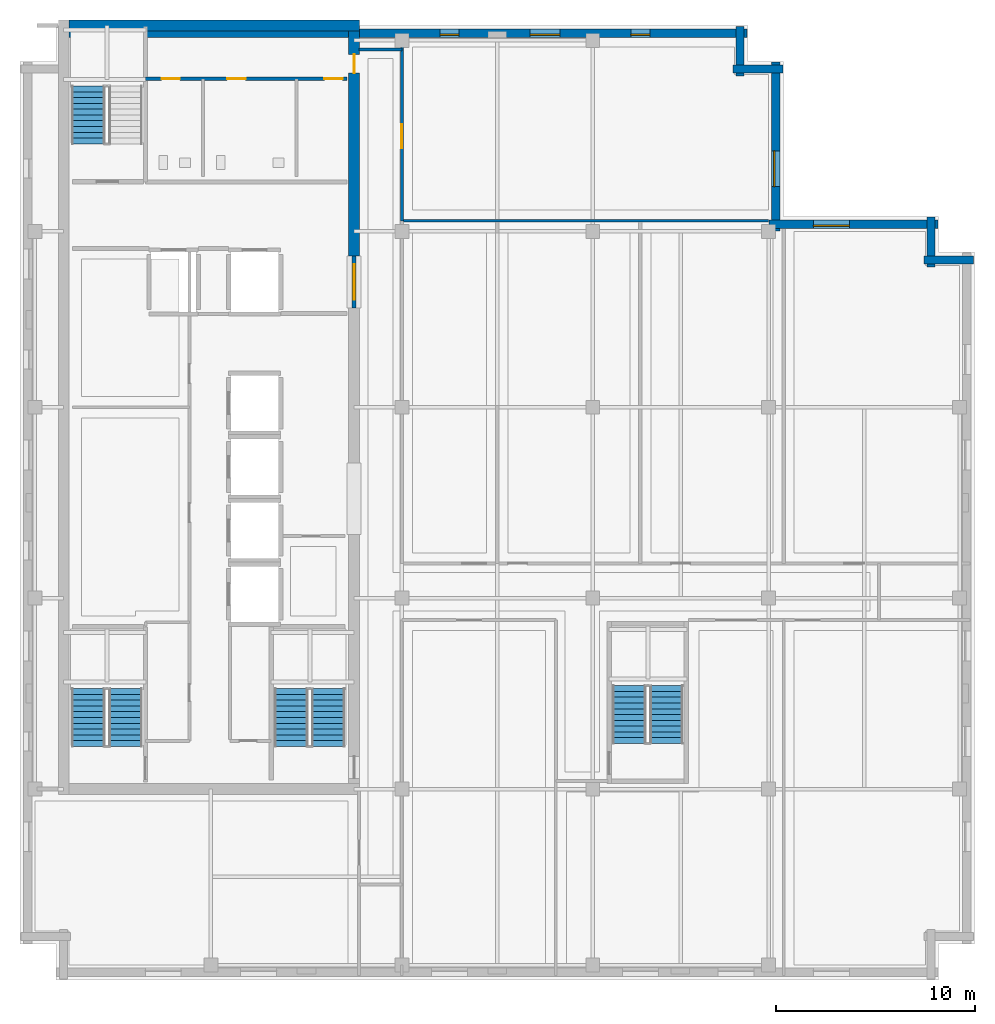
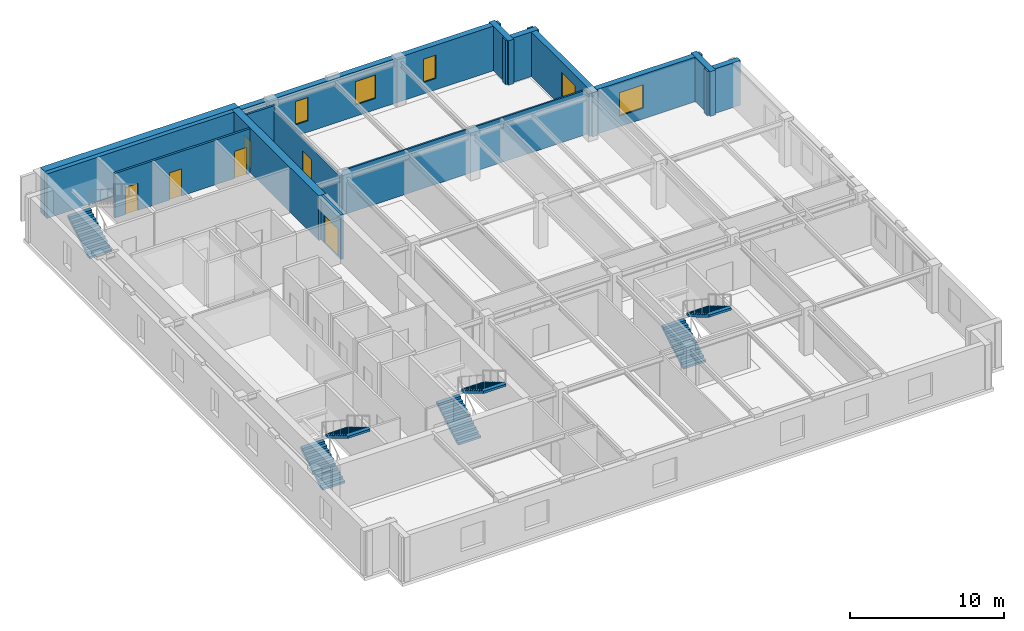
# One storey, part 6 of 11: 14 walls, 7 stair flights, 6 doors, 5 windows, 11 openings, 4 elements without a shape of their own.
"""IFC4 building model written with IfcOpenShell, lengths in metres."""

from ifc_helpers import new_model, si_unit, direction, frame, frame_2d, origin, place, context, subcontext, project, spatial, polyline, rectangle, outline, extrude, material, layer, layer_set, type_object, element, fill, aggregate, save


model = new_model("IFC4")

# Units and contexts
model_context = context("Model", 3, precision=1e-05, world=origin(), true_north=direction((0.0, 1.0)))
body_context = subcontext(model_context, "Body", "Model", "MODEL_VIEW")
ifc_project = project(units=[si_unit("LENGTHUNIT", "METRE"), si_unit("AREAUNIT", "SQUARE_METRE"), si_unit("VOLUMEUNIT", "CUBIC_METRE"), si_unit("PLANEANGLEUNIT", "RADIAN"), si_unit("MASSUNIT", "GRAM", prefix="KILO")], contexts=[model_context])

# Site, building, storey
site_placement = place(None, origin())
site = spatial("IfcSite", under=ifc_project, at=site_placement, CompositionType="ELEMENT")
building_placement = place(site_placement, origin())
building = spatial("IfcBuilding", under=site, at=building_placement, Name="Norrvale University Quadrangle", CompositionType="ELEMENT")
storey_placement = place(building_placement, frame((0.0, 0.0, 288.60009765625)))
storey = spatial("IfcBuildingStorey", under=building, at=storey_placement, Name="L73", CompositionType="ELEMENT", Elevation=288.60009765625)

# Walls
ifc_material_1 = material(Name="Buff Norman Clay Brick Masonry", Category="masonry")
ifc_layer_1 = layer(ifc_material_1, 0.419921875, Name="Buff Norman Clay Brick Masonry")
ifc_layer_set_1 = layer_set([ifc_layer_1], Name="Buff Norman Clay Brick Masonry")
wall_type_1 = type_object("IfcWallType", Name="Wall Buff Brick 420", PredefinedType="SOLIDWALL", material=ifc_layer_set_1)
for number, where, z_axis, x_axis, name in (
    (1, (47.9599609375, 36.2099609375, 0.0), (0.0, 0.0, 1.0), (-1.0, 0.0, 0.0), "Exterior Brick Facade Wall L73-05.1"),
    (2, (45.81005859375, 35.860107421875, 0.0), (0.0, 0.0, 1.0), (0.0, 1.0, 0.0), "Exterior Brick Facade Wall L73-06.1"),
):
    element("IfcWall", number, at=place(storey_placement, frame(where, z_axis=z_axis, x_axis=x_axis)), inside=storey, type_object=wall_type_1, Name=name, PredefinedType="SOLIDWALL", context=body_context, shape_type="SweptSolid", body=[
        extrude(rectangle(XDim=2.5, YDim=0.419921875, at=frame_2d((1.25, 0.0))), origin(), (0.0, 0.0, 1.0), 3.539794921875),
    ])

# Wall, opening, window
wall_1_placement = place(storey_placement, frame((46.159912109375, 38.010009765625, 0.0), z_axis=(0.0, 0.0, 1.0), x_axis=(-1.0, 0.0, 0.0)))
wall_1 = element("IfcWall", 3, at=wall_1_placement, inside=storey, type_object=wall_type_1, Name="Exterior Brick Facade Wall L73-07.1", PredefinedType="SOLIDWALL", context=body_context, shape_type="SweptSolid", body=[
    extrude(rectangle(XDim=8.5, YDim=0.419921875, at=frame_2d((4.25, 0.0))), origin(), (0.0, 0.0, 1.0), 3.539794921875),
])
opening_1_placement = place(wall_1_placement, frame((4.4599609375, 0.0, 0.85009765625)))
opening_1 = element("IfcOpeningElement", 4, at=opening_1_placement, cuts=wall_1, Name="Opening W01", PredefinedType="OPENING", context=body_context, shape_type="SweptSolid", body=[
    extrude(rectangle(XDim=1.800048828125, YDim=1.85009765625, at=frame_2d((0.89990234375, 0.925048828125))), frame((0.0, 0.221923828125, 0.0), z_axis=(0.0, -1.0, 0.0), x_axis=(1.0, 0.0, 0.0)), (0.0, 0.0, 1.0), 0.44384765625),
])
ifc_material_2 = material(Name="Triple Low-E Argon Glazing", Category="glass")
window_type_1 = type_object("IfcWindowType", Name="Window Academic 1800x2300", PartitioningType="DOUBLE_PANEL_VERTICAL", PredefinedType="WINDOW", material=ifc_material_2)
window_1_placement = place(opening_1_placement, origin())
window_1 = element("IfcWindow", 5, at=window_1_placement, inside=storey, type_object=window_type_1, Name="Window Academic 1800x2300 WIN-L73-E07-1-01", OverallHeight=1.85009765625, OverallWidth=1.800048828125, PartitioningType="DOUBLE_PANEL_VERTICAL", PredefinedType="WINDOW", context=body_context, shape_type="SweptSolid", body=[
    extrude(rectangle(XDim=1.800048828125, YDim=1.85009765625, at=frame_2d((0.89990234375, 0.925048828125))), frame((0.0, 0.110107421875, 0.0), z_axis=(0.0, -1.0, 0.0), x_axis=(1.0, 0.0, 0.0)), (0.0, 0.0, 1.0), 0.06005859375),
])
fill(opening_1, window_1)

wall_2_placement = place(storey_placement, frame((38.010009765625, 37.659912109375, 0.0), z_axis=(0.0, 0.0, 1.0), x_axis=(0.0, 1.0, 0.0)))
wall_2 = element("IfcWall", 6, at=wall_2_placement, inside=storey, type_object=wall_type_1, Name="Exterior Brick Facade Wall L73-08.1", PredefinedType="SOLIDWALL", context=body_context, shape_type="SweptSolid", body=[
    extrude(rectangle(XDim=8.5, YDim=0.419921875, at=frame_2d((4.25, 0.0))), origin(), (0.0, 0.0, 1.0), 3.539794921875),
])
opening_2_placement = place(wall_2_placement, frame((2.239990234375, 0.0, 0.85009765625)))
opening_2 = element("IfcOpeningElement", 7, at=opening_2_placement, cuts=wall_2, Name="Opening W01", PredefinedType="OPENING", context=body_context, shape_type="SweptSolid", body=[
    extrude(rectangle(XDim=1.800048828125, YDim=1.85009765625, at=frame_2d((0.89990234375, 0.925048828125))), frame((0.0, 0.221923828125, 0.0), z_axis=(0.0, -1.0, 0.0), x_axis=(1.0, 0.0, 0.0)), (0.0, 0.0, 1.0), 0.44384765625),
])
window_2_placement = place(opening_2_placement, origin())
window_2 = element("IfcWindow", 8, at=window_2_placement, inside=storey, type_object=window_type_1, Name="Window Academic 1800x2300 WIN-L73-E08-1-01", OverallHeight=1.85009765625, OverallWidth=1.800048828125, PartitioningType="DOUBLE_PANEL_VERTICAL", PredefinedType="WINDOW", context=body_context, shape_type="SweptSolid", body=[
    extrude(rectangle(XDim=1.800048828125, YDim=1.85009765625, at=frame_2d((0.89990234375, 0.925048828125))), frame((0.0, 0.110107421875, 0.0), z_axis=(0.0, -1.0, 0.0), x_axis=(1.0, 0.0, 0.0)), (0.0, 0.0, 1.0), 0.06005859375),
])
fill(opening_2, window_2)

# Walls
for number, where, z_axis, x_axis, name in (
    (9, (38.360107421875, 45.81005859375, 0.0), (0.0, 0.0, 1.0), (-1.0, 0.0, 0.0), "Exterior Brick Facade Wall L73-09.1"),
    (10, (36.2099609375, 45.4599609375, 0.0), (0.0, 0.0, 1.0), (0.0, 1.0, 0.0), "Exterior Brick Facade Wall L73-10.1"),
):
    element("IfcWall", number, at=place(storey_placement, frame(where, z_axis=z_axis, x_axis=x_axis)), inside=storey, type_object=wall_type_1, Name=name, PredefinedType="SOLIDWALL", context=body_context, shape_type="SweptSolid", body=[
        extrude(rectangle(XDim=2.5, YDim=0.419921875, at=frame_2d((1.25, 0.0))), origin(), (0.0, 0.0, 1.0), 3.539794921875),
    ])

# Wall, openings, windows
wall_3_placement = place(storey_placement, frame((36.56005859375, 47.610107421875, 0.0), z_axis=(0.0, 0.0, 1.0), x_axis=(-1.0, 0.0, 0.0)))
wall_3 = element("IfcWall", 11, at=wall_3_placement, inside=storey, type_object=wall_type_1, Name="Exterior Brick Facade Wall L73-11.1", PredefinedType="SOLIDWALL", context=body_context, shape_type="SweptSolid", body=[
    extrude(rectangle(XDim=34.0849609375, YDim=0.419921875, at=frame_2d((17.04248046875, 0.0))), origin(), (0.0, 0.0, 1.0), 3.539794921875),
])
opening_3_placement = place(wall_3_placement, frame((4.885009765625, 0.0, 0.89990234375)))
opening_3 = element("IfcOpeningElement", 12, at=opening_3_placement, cuts=wall_3, Name="Opening W04", PredefinedType="OPENING", context=body_context, shape_type="SweptSolid", body=[
    extrude(rectangle(XDim=0.949951171875, YDim=1.85009765625, at=frame_2d((0.47509765625, 0.925048828125))), frame((0.0, 0.221923828125, 0.0), z_axis=(0.0, -1.0, 0.0), x_axis=(1.0, 0.0, 0.0)), (0.0, 0.0, 1.0), 0.44384765625),
])
opening_4_placement = place(wall_3_placement, frame((9.409912109375, 0.0, 0.89990234375)))
opening_4 = element("IfcOpeningElement", 13, at=opening_4_placement, cuts=wall_3, Name="Opening W03", PredefinedType="OPENING", context=body_context, shape_type="SweptSolid", body=[
    extrude(rectangle(XDim=1.5, YDim=1.85009765625, at=frame_2d((0.75, 0.925048828125))), frame((0.0, 0.221923828125, 0.0), z_axis=(0.0, -1.0, 0.0), x_axis=(1.0, 0.0, 0.0)), (0.0, 0.0, 1.0), 0.44384765625),
])
opening_5_placement = place(wall_3_placement, frame((14.485107421875, 0.0, 0.89990234375)))
opening_5 = element("IfcOpeningElement", 14, at=opening_5_placement, cuts=wall_3, Name="Opening W04", PredefinedType="OPENING", context=body_context, shape_type="SweptSolid", body=[
    extrude(rectangle(XDim=0.949951171875, YDim=1.85009765625, at=frame_2d((0.47509765625, 0.925048828125))), frame((0.0, 0.221923828125, 0.0), z_axis=(0.0, -1.0, 0.0), x_axis=(1.0, 0.0, 0.0)), (0.0, 0.0, 1.0), 0.44384765625),
])
window_type_2 = type_object("IfcWindowType", Name="Window Narrow Pier 950x2300", PartitioningType="SINGLE_PANEL", PredefinedType="WINDOW", material=ifc_material_2)
window_3_placement = place(opening_3_placement, origin())
window_3 = element("IfcWindow", 15, at=window_3_placement, inside=storey, type_object=window_type_2, Name="Window Narrow Pier 950x2300 WIN-L73-E11-1-01", OverallHeight=1.85009765625, OverallWidth=0.949951171875, PartitioningType="SINGLE_PANEL", PredefinedType="WINDOW", context=body_context, shape_type="SweptSolid", body=[
    extrude(rectangle(XDim=0.949951171875, YDim=1.85009765625, at=frame_2d((0.47509765625, 0.925048828125))), frame((0.0, 0.110107421875, 0.0), z_axis=(0.0, -1.0, 0.0), x_axis=(1.0, 0.0, 0.0)), (0.0, 0.0, 1.0), 0.06005859375),
])
fill(opening_3, window_3)
window_4_placement = place(opening_5_placement, origin())
window_4 = element("IfcWindow", 16, at=window_4_placement, inside=storey, type_object=window_type_2, Name="Window Narrow Pier 950x2300 WIN-L73-E11-1-03", OverallHeight=1.85009765625, OverallWidth=0.949951171875, PartitioningType="SINGLE_PANEL", PredefinedType="WINDOW", context=body_context, shape_type="SweptSolid", body=[
    extrude(rectangle(XDim=0.949951171875, YDim=1.85009765625, at=frame_2d((0.47509765625, 0.925048828125))), frame((0.0, 0.110107421875, 0.0), z_axis=(0.0, -1.0, 0.0), x_axis=(1.0, 0.0, 0.0)), (0.0, 0.0, 1.0), 0.06005859375),
])
fill(opening_5, window_4)
window_type_3 = type_object("IfcWindowType", Name="Window Studio 1500x2300", PartitioningType="DOUBLE_PANEL_VERTICAL", PredefinedType="WINDOW", material=ifc_material_2)
window_5_placement = place(opening_4_placement, origin())
window_5 = element("IfcWindow", 17, at=window_5_placement, inside=storey, type_object=window_type_3, Name="Window Studio 1500x2300 WIN-L73-E11-1-02", OverallHeight=1.85009765625, OverallWidth=1.5, PartitioningType="DOUBLE_PANEL_VERTICAL", PredefinedType="WINDOW", context=body_context, shape_type="SweptSolid", body=[
    extrude(rectangle(XDim=1.5, YDim=1.85009765625, at=frame_2d((0.75, 0.925048828125))), frame((0.0, 0.110107421875, 0.0), z_axis=(0.0, -1.0, 0.0), x_axis=(1.0, 0.0, 0.0)), (0.0, 0.0, 1.0), 0.06005859375),
])
fill(opening_4, window_5)

# Wall
ifc_material_3 = material(Name="Concrete C60/75", Category="concrete")
ifc_layer_2 = layer(ifc_material_3, 0.550048828125, Name="Concrete C60/75")
ifc_layer_set_2 = layer_set([ifc_layer_2], Name="Concrete C60/75")
wall_type_2 = type_object("IfcWallType", Name="Wall Core 550", PredefinedType="SHEAR", material=ifc_layer_set_2)
wall_4_placement = place(storey_placement, frame((2.47509765625, 48.0, 0.0), z_axis=(0.0, 0.0, 1.0), x_axis=(1.0, 0.0, 0.0)))
element("IfcWall", 18, at=wall_4_placement, inside=storey, type_object=wall_type_2, Name="Tower Core Shear Wall L73-N", PredefinedType="SHEAR", context=body_context, shape_type="SweptSolid", body=[
    extrude(rectangle(XDim=14.599853515625, YDim=0.550048828125, at=frame_2d((7.2998046875, 0.0))), origin(), (0.0, 0.0, 1.0), 3.539794921875),
])

# Wall, opening, door
wall_5_placement = place(storey_placement, frame((16.800048828125, 36.39990234375, 0.0), z_axis=(0.0, 0.0, 1.0), x_axis=(0.0, 1.0, 0.0)))
wall_5 = element("IfcWall", 19, at=wall_5_placement, inside=storey, type_object=wall_type_2, Name="Tower Core Shear Wall L73-E3", PredefinedType="SHEAR", context=body_context, shape_type="SweptSolid", body=[
    extrude(rectangle(XDim=11.3251953125, YDim=0.550048828125, at=frame_2d((5.66259765625, 0.0))), origin(), (0.0, 0.0, 1.0), 3.539794921875),
])
opening_6_placement = place(wall_5_placement, frame((9.199951171875, 0.0, 0.0)))
opening_6 = element("IfcOpeningElement", 20, at=opening_6_placement, cuts=wall_5, Name="Opening D07", PredefinedType="OPENING", context=body_context, shape_type="SweptSolid", body=[
    extrude(rectangle(XDim=0.949951171875, YDim=2.14990234375, at=frame_2d((0.47509765625, 1.074951171875))), frame((0.0, 0.287109375, 0.0), z_axis=(0.0, -1.0, 0.0), x_axis=(1.0, 0.0, 0.0)), (0.0, 0.0, 1.0), 0.573974609375),
])
ifc_material_4 = material(Name="Solid-Core Maple Door", Category="wood")
door_type_1 = type_object("IfcDoorType", Name="Door Office 950x2150", OperationType="NOTDEFINED", PredefinedType="DOOR", material=ifc_material_4)
door_1_placement = place(opening_6_placement, origin())
door_1 = element("IfcDoor", 21, at=door_1_placement, inside=storey, type_object=door_type_1, Name="Door Office 950x2150 DR-L73-NECORR", OperationType="SINGLE_SWING_RIGHT", OverallHeight=2.14990234375, OverallWidth=0.949951171875, PredefinedType="DOOR", context=body_context, shape_type="SweptSolid", body=[
    extrude(rectangle(XDim=0.949951171875, YDim=2.14990234375, at=frame_2d((0.47509765625, 1.074951171875))), frame((0.0, 0.02490234375, 0.0), z_axis=(0.0, -1.0, 0.0), x_axis=(1.0, 0.0, 0.0)), (0.0, 0.0, 1.0), 0.050048828125),
])
fill(opening_6, door_1)

# Walls
ifc_material_5 = material(Name="Standard Academic Gypsum Partition")
ifc_layer_3 = layer(ifc_material_5, 0.125, Name="Standard Academic Gypsum Partition")
ifc_layer_set_3 = layer_set([ifc_layer_3], Name="Standard Academic Gypsum Partition")
wall_type_3 = type_object("IfcWallType", Name="Wall Gypsum Academic 125", PredefinedType="PARTITIONING", material=ifc_layer_set_3)
wall_6_placement = place(storey_placement, frame((19.280029296875, 38.179931640625, 0.0), z_axis=(0.0, 0.0, 1.0), x_axis=(1.0, 0.0, 0.0)))
element("IfcWall", 22, at=wall_6_placement, inside=storey, type_object=wall_type_3, Name="Interior Partition WL-L73-ME-N", PredefinedType="PARTITIONING", context=body_context, shape_type="SweptSolid", body=[
    extrude(rectangle(XDim=18.369873046875, YDim=0.125, at=frame_2d((9.18505859375, 0.0))), origin(), (0.0, 0.0, 1.0), 3.539794921875),
])
ifc_material_6 = material(Name="Fire-Rated Gypsum Stud Partition")
ifc_layer_4 = layer(ifc_material_6, 0.14990234375, Name="Fire-Rated Gypsum Stud Partition")
ifc_layer_set_4 = layer_set([ifc_layer_4], Name="Fire-Rated Gypsum Stud Partition")
wall_type_4 = type_object("IfcWallType", Name="Wall Gypsum Corridor 150", PredefinedType="PARTITIONING", material=ifc_layer_set_4)
wall_7_placement = place(storey_placement, frame((17.050048828125, 46.800048828125, 0.0), z_axis=(0.0, 0.0, 1.0), x_axis=(1.0, 0.0, 0.0)))
element("IfcWall", 23, at=wall_7_placement, inside=storey, type_object=wall_type_4, Name="Interior Partition WL-L73-CSP-N", PredefinedType="PARTITIONING", context=body_context, shape_type="SweptSolid", body=[
    extrude(rectangle(XDim=2.14990234375, YDim=0.14990234375, at=frame_2d((1.074951171875, 0.0))), origin(), (0.0, 0.0, 1.0), 3.539794921875),
])

# Wall, opening, door
wall_8_placement = place(storey_placement, frame((19.199951171875, 38.179931640625, 0.0), z_axis=(0.0, 0.0, 1.0), x_axis=(0.0, 1.0, 0.0)))
wall_8 = element("IfcWall", 24, at=wall_8_placement, inside=storey, type_object=wall_type_4, Name="Interior Partition WL-L73-NECW", PredefinedType="PARTITIONING", context=body_context, shape_type="SweptSolid", body=[
    extrude(rectangle(XDim=9.27001953125, YDim=0.14990234375, at=frame_2d((4.635009765625, 0.0))), origin(), (0.0, 0.0, 1.0), 3.122802734375),
])
opening_7_placement = place(wall_8_placement, frame((3.64990234375, 0.0, 0.0)))
opening_7 = element("IfcOpeningElement", 25, at=opening_7_placement, cuts=wall_8, Name="Opening D05", PredefinedType="OPENING", context=body_context, shape_type="SweptSolid", body=[
    extrude(rectangle(XDim=1.199951171875, YDim=2.199951171875, at=frame_2d((0.60009765625, 1.10009765625))), frame((0.0, 0.0869140625, 0.0), z_axis=(0.0, -1.0, 0.0), x_axis=(1.0, 0.0, 0.0)), (0.0, 0.0, 1.0), 0.173828125),
])
ifc_material_7 = material(Name="Acoustic Oak Classroom Door", Category="wood")
door_type_2 = type_object("IfcDoorType", Name="Door Classroom 1200x2200", OperationType="NOTDEFINED", PredefinedType="DOOR", material=ifc_material_7)
door_2_placement = place(opening_7_placement, origin())
door_2 = element("IfcDoor", 26, at=door_2_placement, inside=storey, type_object=door_type_2, Name="Door Classroom 1200x2200 DR-L73-NE01", OperationType="SINGLE_SWING_RIGHT", OverallHeight=2.199951171875, OverallWidth=1.199951171875, PredefinedType="DOOR", context=body_context, shape_type="SweptSolid", body=[
    extrude(rectangle(XDim=1.199951171875, YDim=2.199951171875, at=frame_2d((0.60009765625, 1.10009765625))), frame((0.0, 0.02490234375, 0.0), z_axis=(0.0, -1.0, 0.0), x_axis=(1.0, 0.0, 0.0)), (0.0, 0.0, 1.0), 0.050048828125),
])
fill(opening_7, door_2)

# Wall, openings, doors
ifc_material_8 = material(Name="Sanitary Chase Gypsum Partition")
ifc_layer_5 = layer(ifc_material_8, 0.1650390625, Name="Sanitary Chase Gypsum Partition")
ifc_layer_set_5 = layer_set([ifc_layer_5], Name="Sanitary Chase Gypsum Partition")
wall_type_5 = type_object("IfcWallType", Name="Wall Gypsum Sanitary 165", PredefinedType="PLUMBINGWALL", material=ifc_layer_set_5)
wall_9_placement = place(storey_placement, frame((6.320068359375, 45.320068359375, 0.0), z_axis=(0.0, 0.0, 1.0), x_axis=(1.0, 0.0, 0.0)))
wall_9 = element("IfcWall", 27, at=wall_9_placement, inside=storey, type_object=wall_type_5, Name="Interior Partition WL-L73-WCN", PredefinedType="PLUMBINGWALL", context=body_context, shape_type="SweptSolid", body=[
    extrude(rectangle(XDim=10.1298828125, YDim=0.1650390625, at=frame_2d((5.06494140625, 0.0))), origin(), (0.0, 0.0, 1.0), 3.539794921875),
])
opening_8_placement = place(wall_9_placement, frame((0.800048828125, 0.0, 0.0)))
opening_8 = element("IfcOpeningElement", 28, at=opening_8_placement, cuts=wall_9, Name="Opening D08", PredefinedType="OPENING", context=body_context, shape_type="SweptSolid", body=[
    extrude(rectangle(XDim=0.919921875, YDim=2.14990234375, at=frame_2d((0.4599609375, 1.074951171875))), frame((0.0, 0.094482421875, 0.0), z_axis=(0.0, -1.0, 0.0), x_axis=(1.0, 0.0, 0.0)), (0.0, 0.0, 1.0), 0.18896484375),
])
opening_9_placement = place(wall_9_placement, frame((4.10009765625, 0.0, 0.0)))
opening_9 = element("IfcOpeningElement", 29, at=opening_9_placement, cuts=wall_9, Name="Opening D08", PredefinedType="OPENING", context=body_context, shape_type="SweptSolid", body=[
    extrude(rectangle(XDim=0.919921875, YDim=2.14990234375, at=frame_2d((0.4599609375, 1.074951171875))), frame((0.0, 0.094482421875, 0.0), z_axis=(0.0, -1.0, 0.0), x_axis=(1.0, 0.0, 0.0)), (0.0, 0.0, 1.0), 0.18896484375),
])
opening_10_placement = place(wall_9_placement, frame((8.97998046875, 0.0, 0.0)))
opening_10 = element("IfcOpeningElement", 30, at=opening_10_placement, cuts=wall_9, Name="Opening D08", PredefinedType="OPENING", context=body_context, shape_type="SweptSolid", body=[
    extrude(rectangle(XDim=0.919921875, YDim=2.14990234375, at=frame_2d((0.4599609375, 1.074951171875))), frame((0.0, 0.094482421875, 0.0), z_axis=(0.0, -1.0, 0.0), x_axis=(1.0, 0.0, 0.0)), (0.0, 0.0, 1.0), 0.18896484375),
])
ifc_material_9 = material(Name="Laminate Washroom Door", Category="wood")
door_type_3 = type_object("IfcDoorType", Name="Door Washroom 920x2150", OperationType="NOTDEFINED", PredefinedType="DOOR", material=ifc_material_9)
door_3_placement = place(opening_8_placement, origin())
door_3 = element("IfcDoor", 31, at=door_3_placement, inside=storey, type_object=door_type_3, Name="Door Washroom 920x2150 DR-L73-WC1", OperationType="SINGLE_SWING_LEFT", OverallHeight=2.14990234375, OverallWidth=0.919921875, PredefinedType="DOOR", context=body_context, shape_type="SweptSolid", body=[
    extrude(rectangle(XDim=0.919921875, YDim=2.14990234375, at=frame_2d((0.4599609375, 1.074951171875))), frame((0.0, 0.02490234375, 0.0), z_axis=(0.0, -1.0, 0.0), x_axis=(1.0, 0.0, 0.0)), (0.0, 0.0, 1.0), 0.050048828125),
])
fill(opening_8, door_3)
door_4_placement = place(opening_9_placement, origin())
door_4 = element("IfcDoor", 32, at=door_4_placement, inside=storey, type_object=door_type_3, Name="Door Washroom 920x2150 DR-L73-WC2", OperationType="SINGLE_SWING_RIGHT", OverallHeight=2.14990234375, OverallWidth=0.919921875, PredefinedType="DOOR", context=body_context, shape_type="SweptSolid", body=[
    extrude(rectangle(XDim=0.919921875, YDim=2.14990234375, at=frame_2d((0.4599609375, 1.074951171875))), frame((0.0, 0.02490234375, 0.0), z_axis=(0.0, -1.0, 0.0), x_axis=(1.0, 0.0, 0.0)), (0.0, 0.0, 1.0), 0.050048828125),
])
fill(opening_9, door_4)
door_5_placement = place(opening_10_placement, origin())
door_5 = element("IfcDoor", 33, at=door_5_placement, inside=storey, type_object=door_type_3, Name="Door Washroom 920x2150 DR-L73-WC3", OperationType="SINGLE_SWING_LEFT", OverallHeight=2.14990234375, OverallWidth=0.919921875, PredefinedType="DOOR", context=body_context, shape_type="SweptSolid", body=[
    extrude(rectangle(XDim=0.919921875, YDim=2.14990234375, at=frame_2d((0.4599609375, 1.074951171875))), frame((0.0, 0.02490234375, 0.0), z_axis=(0.0, -1.0, 0.0), x_axis=(1.0, 0.0, 0.0)), (0.0, 0.0, 1.0), 0.050048828125),
])
fill(opening_10, door_5)

# Wall, opening, door
ifc_material_10 = material(Name="Concrete Blockwork 20 MPa Rated Wall", Category="masonry")
ifc_layer_6 = layer(ifc_material_10, 0.199951171875, Name="Concrete Blockwork 20 MPa Rated Wall")
ifc_layer_set_6 = layer_set([ifc_layer_6], Name="Concrete Blockwork 20 MPa Rated Wall")
wall_type_6 = type_object("IfcWallType", Name="Wall Lobby 200", PredefinedType="SOLIDWALL", material=ifc_layer_set_6)
wall_10_placement = place(storey_placement, frame((16.800048828125, 33.800048828125, 0.0), z_axis=(0.0, 0.0, 1.0), x_axis=(0.0, 1.0, 0.0)))
wall_10 = element("IfcWall", 34, at=wall_10_placement, inside=storey, type_object=wall_type_6, Name="Interior Partition WL-L73-FFP", PredefinedType="SOLIDWALL", context=body_context, shape_type="SweptSolid", body=[
    extrude(rectangle(XDim=2.599853515625, YDim=0.199951171875, at=frame_2d((1.2998046875, 0.0))), origin(), (0.0, 0.0, 1.0), 3.539794921875),
])
opening_11_placement = place(wall_10_placement, frame((0.39990234375, 0.0, 0.0)))
opening_11 = element("IfcOpeningElement", 35, at=opening_11_placement, cuts=wall_10, Name="Opening D03", PredefinedType="OPENING", context=body_context, shape_type="SweptSolid", body=[
    extrude(rectangle(XDim=1.800048828125, YDim=2.199951171875, at=frame_2d((0.89990234375, 1.10009765625))), frame((0.0, 0.112060546875, 0.0), z_axis=(0.0, -1.0, 0.0), x_axis=(1.0, 0.0, 0.0)), (0.0, 0.0, 1.0), 0.223876953125),
])
ifc_material_11 = material(Name="Hollow Steel 350W Fire Door", Category="steel")
door_type_4 = type_object("IfcDoorType", Name="Door Fire Lobby 1800x2200", OperationType="DOUBLE_DOOR_SINGLE_SWING", PredefinedType="DOOR", material=ifc_material_11)
door_6_placement = place(opening_11_placement, origin())
door_6 = element("IfcDoor", 36, at=door_6_placement, inside=storey, type_object=door_type_4, Name="Door Fire Lobby 1800x2200 DR-L73-FFP", OperationType="DOUBLE_DOOR_SINGLE_SWING", OverallHeight=2.199951171875, OverallWidth=1.800048828125, PredefinedType="DOOR", context=body_context, shape_type="SweptSolid", body=[
    extrude(rectangle(XDim=1.800048828125, YDim=2.199951171875, at=frame_2d((0.89990234375, 1.10009765625))), frame((0.0, 0.02490234375, 0.0), z_axis=(0.0, -1.0, 0.0), x_axis=(1.0, 0.0, 0.0)), (0.0, 0.0, 1.0), 0.050048828125),
])
fill(opening_11, door_6)

# Stair, stair flights
ifc_material_12 = material(Name="Concrete C40/50", Category="concrete")
stair_type = type_object("IfcStairType", Name="Stair Tower Typ 3800", PredefinedType="TWO_STRAIGHT_RUN_STAIR", material=ifc_material_12)
stair_1_placement = place(storey_placement, origin())
stair_1 = element("IfcStair", 37, at=stair_1_placement, inside=storey, type_object=stair_type, Name="Exit Stair ST-01 L73", PredefinedType="TWO_STRAIGHT_RUN_STAIR")
stair_flight_type = type_object("IfcStairFlightType", Name="Flight Typ 1500", PredefinedType="STRAIGHT", material=ifc_material_12)
stair_flight_1_placement = place(storey_placement, frame((3.429931640625, 11.75, 0.0), z_axis=(0.0, 0.0, 1.0), x_axis=(0.0, 1.0, 0.0)))
stair_flight_1 = element("IfcStairFlight", 38, at=stair_flight_1_placement, type_object=stair_flight_type, Name="Exit Stair ST-01 L73 Lower Flight", NumberOfRisers=11, NumberOfTreads=10, PredefinedType="STRAIGHT", RiserHeight=0.172727, TreadLength=0.29, context=body_context, shape_type="SweptSolid", body=[
    extrude(outline(polyline([(0.0, 0.0), (0.0, 0.172607421875), (0.2900390625, 0.172607421875), (0.2900390625, 0.345458984375), (0.580078125, 0.345458984375), (0.580078125, 0.51806640625), (0.8701171875, 0.51806640625), (0.8701171875, 0.69091796875), (1.159912109375, 0.69091796875), (1.159912109375, 0.863525390625), (1.449951171875, 0.863525390625), (1.449951171875, 1.036376953125), (1.739990234375, 1.036376953125), (1.739990234375, 1.208984375), (2.030029296875, 1.208984375), (2.030029296875, 1.3818359375), (2.320068359375, 1.3818359375), (2.320068359375, 1.554443359375), (2.610107421875, 1.554443359375), (2.610107421875, 1.727294921875), (2.89990234375, 1.727294921875), (2.89990234375, 1.89990234375), (2.89990234375, 1.552734375), (0.29296875, 0.0), (0.0, 0.0)])), frame((0.0, 0.83984375, 0.0), z_axis=(0.0, -1.0, 0.0), x_axis=(1.0, 0.0, 0.0)), (0.0, 0.0, 1.0), 1.679931640625),
])
stair_flight_2_placement = place(storey_placement, frame((5.320068359375, 14.64990234375, 1.89990234375), z_axis=(0.0, 0.0, 1.0), x_axis=(0.0, -1.0, 0.0)))
stair_flight_2 = element("IfcStairFlight", 39, at=stair_flight_2_placement, type_object=stair_flight_type, Name="Exit Stair ST-01 L73 Upper Flight", NumberOfRisers=11, NumberOfTreads=10, PredefinedType="STRAIGHT", RiserHeight=0.172727, TreadLength=0.29, context=body_context, shape_type="SweptSolid", body=[
    extrude(outline(polyline([(0.0, 0.0), (0.0, 0.172607421875), (0.2900390625, 0.172607421875), (0.2900390625, 0.345458984375), (0.580078125, 0.345458984375), (0.580078125, 0.51806640625), (0.8701171875, 0.51806640625), (0.8701171875, 0.69091796875), (1.159912109375, 0.69091796875), (1.159912109375, 0.863525390625), (1.449951171875, 0.863525390625), (1.449951171875, 1.036376953125), (1.739990234375, 1.036376953125), (1.739990234375, 1.208984375), (2.030029296875, 1.208984375), (2.030029296875, 1.3818359375), (2.320068359375, 1.3818359375), (2.320068359375, 1.554443359375), (2.610107421875, 1.554443359375), (2.610107421875, 1.727294921875), (2.89990234375, 1.727294921875), (2.89990234375, 1.89990234375), (2.89990234375, 1.552734375), (0.29296875, 0.0), (0.0, 0.0)])), frame((0.0, 0.83984375, 0.0), z_axis=(0.0, -1.0, 0.0), x_axis=(1.0, 0.0, 0.0)), (0.0, 0.0, 1.0), 1.679931640625),
])
aggregate(stair_1, [stair_flight_1, stair_flight_2])

# Stair, stair flight
stair_2_placement = place(storey_placement, origin())
stair_2 = element("IfcStair", 40, at=stair_2_placement, inside=storey, type_object=stair_type, Name="Exit Stair ST-02 L73", PredefinedType="TWO_STRAIGHT_RUN_STAIR")
stair_flight_3_placement = place(storey_placement, frame((3.429931640625, 42.050048828125, 0.0), z_axis=(0.0, 0.0, 1.0), x_axis=(0.0, 1.0, 0.0)))
stair_flight_3 = element("IfcStairFlight", 41, at=stair_flight_3_placement, type_object=stair_flight_type, Name="Exit Stair ST-02 L73 Lower Flight", NumberOfRisers=11, NumberOfTreads=10, PredefinedType="STRAIGHT", RiserHeight=0.172727, TreadLength=0.29, context=body_context, shape_type="SweptSolid", body=[
    extrude(outline(polyline([(0.0, 0.0), (0.0, 0.172607421875), (0.2900390625, 0.172607421875), (0.2900390625, 0.345458984375), (0.580078125, 0.345458984375), (0.580078125, 0.51806640625), (0.8701171875, 0.51806640625), (0.8701171875, 0.69091796875), (1.159912109375, 0.69091796875), (1.159912109375, 0.863525390625), (1.449951171875, 0.863525390625), (1.449951171875, 1.036376953125), (1.739990234375, 1.036376953125), (1.739990234375, 1.208984375), (2.030029296875, 1.208984375), (2.030029296875, 1.3818359375), (2.320068359375, 1.3818359375), (2.320068359375, 1.554443359375), (2.610107421875, 1.554443359375), (2.610107421875, 1.727294921875), (2.89990234375, 1.727294921875), (2.89990234375, 1.89990234375), (2.89990234375, 1.552734375), (0.29296875, 0.0), (0.0, 0.0)])), frame((0.0, 0.83984375, 0.0), z_axis=(0.0, -1.0, 0.0), x_axis=(1.0, 0.0, 0.0)), (0.0, 0.0, 1.0), 1.679931640625),
])
aggregate(stair_2, [stair_flight_3])

# Stair, stair flights
stair_3_placement = place(storey_placement, origin())
stair_3 = element("IfcStair", 42, at=stair_3_placement, inside=storey, type_object=stair_type, Name="Exit Stair ST-03 L73", PredefinedType="TWO_STRAIGHT_RUN_STAIR")
stair_flight_4_placement = place(storey_placement, frame((13.6298828125, 11.75, 0.0), z_axis=(0.0, 0.0, 1.0), x_axis=(0.0, 1.0, 0.0)))
stair_flight_4 = element("IfcStairFlight", 43, at=stair_flight_4_placement, type_object=stair_flight_type, Name="Exit Stair ST-03 L73 Lower Flight", NumberOfRisers=11, NumberOfTreads=10, PredefinedType="STRAIGHT", RiserHeight=0.172727, TreadLength=0.29, context=body_context, shape_type="SweptSolid", body=[
    extrude(outline(polyline([(0.0, 0.0), (0.0, 0.172607421875), (0.2900390625, 0.172607421875), (0.2900390625, 0.345458984375), (0.580078125, 0.345458984375), (0.580078125, 0.51806640625), (0.8701171875, 0.51806640625), (0.8701171875, 0.69091796875), (1.159912109375, 0.69091796875), (1.159912109375, 0.863525390625), (1.449951171875, 0.863525390625), (1.449951171875, 1.036376953125), (1.739990234375, 1.036376953125), (1.739990234375, 1.208984375), (2.030029296875, 1.208984375), (2.030029296875, 1.3818359375), (2.320068359375, 1.3818359375), (2.320068359375, 1.554443359375), (2.610107421875, 1.554443359375), (2.610107421875, 1.727294921875), (2.89990234375, 1.727294921875), (2.89990234375, 1.89990234375), (2.89990234375, 1.552734375), (0.29296875, 0.0), (0.0, 0.0)])), frame((0.0, 0.83984375, 0.0), z_axis=(0.0, -1.0, 0.0), x_axis=(1.0, 0.0, 0.0)), (0.0, 0.0, 1.0), 1.679931640625),
])
stair_flight_5_placement = place(storey_placement, frame((15.52001953125, 14.64990234375, 1.89990234375), z_axis=(0.0, 0.0, 1.0), x_axis=(0.0, -1.0, 0.0)))
stair_flight_5 = element("IfcStairFlight", 44, at=stair_flight_5_placement, type_object=stair_flight_type, Name="Exit Stair ST-03 L73 Upper Flight", NumberOfRisers=11, NumberOfTreads=10, PredefinedType="STRAIGHT", RiserHeight=0.172727, TreadLength=0.29, context=body_context, shape_type="SweptSolid", body=[
    extrude(outline(polyline([(0.0, 0.0), (0.0, 0.172607421875), (0.2900390625, 0.172607421875), (0.2900390625, 0.345458984375), (0.580078125, 0.345458984375), (0.580078125, 0.51806640625), (0.8701171875, 0.51806640625), (0.8701171875, 0.69091796875), (1.159912109375, 0.69091796875), (1.159912109375, 0.863525390625), (1.449951171875, 0.863525390625), (1.449951171875, 1.036376953125), (1.739990234375, 1.036376953125), (1.739990234375, 1.208984375), (2.030029296875, 1.208984375), (2.030029296875, 1.3818359375), (2.320068359375, 1.3818359375), (2.320068359375, 1.554443359375), (2.610107421875, 1.554443359375), (2.610107421875, 1.727294921875), (2.89990234375, 1.727294921875), (2.89990234375, 1.89990234375), (2.89990234375, 1.552734375), (0.29296875, 0.0), (0.0, 0.0)])), frame((0.0, 0.83984375, 0.0), z_axis=(0.0, -1.0, 0.0), x_axis=(1.0, 0.0, 0.0)), (0.0, 0.0, 1.0), 1.679931640625),
])
aggregate(stair_3, [stair_flight_4, stair_flight_5])

stair_4_placement = place(storey_placement, origin())
stair_4 = element("IfcStair", 45, at=stair_4_placement, inside=storey, type_object=stair_type, Name="Exit Stair ST-04 L73", PredefinedType="TWO_STRAIGHT_RUN_STAIR")
stair_flight_6_placement = place(storey_placement, frame((30.6298828125, 11.89990234375, 0.0), z_axis=(0.0, 0.0, 1.0), x_axis=(0.0, 1.0, 0.0)))
stair_flight_6 = element("IfcStairFlight", 46, at=stair_flight_6_placement, type_object=stair_flight_type, Name="Exit Stair ST-04 L73 Lower Flight", NumberOfRisers=11, NumberOfTreads=10, PredefinedType="STRAIGHT", RiserHeight=0.172727, TreadLength=0.29, context=body_context, shape_type="SweptSolid", body=[
    extrude(outline(polyline([(0.0, 0.0), (0.0, 0.172607421875), (0.2900390625, 0.172607421875), (0.2900390625, 0.345458984375), (0.580078125, 0.345458984375), (0.580078125, 0.51806640625), (0.8701171875, 0.51806640625), (0.8701171875, 0.69091796875), (1.159912109375, 0.69091796875), (1.159912109375, 0.863525390625), (1.449951171875, 0.863525390625), (1.449951171875, 1.036376953125), (1.739990234375, 1.036376953125), (1.739990234375, 1.208984375), (2.030029296875, 1.208984375), (2.030029296875, 1.3818359375), (2.320068359375, 1.3818359375), (2.320068359375, 1.554443359375), (2.610107421875, 1.554443359375), (2.610107421875, 1.727294921875), (2.89990234375, 1.727294921875), (2.89990234375, 1.89990234375), (2.89990234375, 1.552734375), (0.29296875, 0.0), (0.0, 0.0)])), frame((0.0, 0.83984375, 0.0), z_axis=(0.0, -1.0, 0.0), x_axis=(1.0, 0.0, 0.0)), (0.0, 0.0, 1.0), 1.679931640625),
])
stair_flight_7_placement = place(storey_placement, frame((32.52001953125, 14.800048828125, 1.89990234375), z_axis=(0.0, 0.0, 1.0), x_axis=(0.0, -1.0, 0.0)))
stair_flight_7 = element("IfcStairFlight", 47, at=stair_flight_7_placement, type_object=stair_flight_type, Name="Exit Stair ST-04 L73 Upper Flight", NumberOfRisers=11, NumberOfTreads=10, PredefinedType="STRAIGHT", RiserHeight=0.172727, TreadLength=0.29, context=body_context, shape_type="SweptSolid", body=[
    extrude(outline(polyline([(0.0, 0.0), (0.0, 0.172607421875), (0.2900390625, 0.172607421875), (0.2900390625, 0.345458984375), (0.580078125, 0.345458984375), (0.580078125, 0.51806640625), (0.8701171875, 0.51806640625), (0.8701171875, 0.69091796875), (1.159912109375, 0.69091796875), (1.159912109375, 0.863525390625), (1.449951171875, 0.863525390625), (1.449951171875, 1.036376953125), (1.739990234375, 1.036376953125), (1.739990234375, 1.208984375), (2.030029296875, 1.208984375), (2.030029296875, 1.3818359375), (2.320068359375, 1.3818359375), (2.320068359375, 1.554443359375), (2.610107421875, 1.554443359375), (2.610107421875, 1.727294921875), (2.89990234375, 1.727294921875), (2.89990234375, 1.89990234375), (2.89990234375, 1.552734375), (0.29296875, 0.0), (0.0, 0.0)])), frame((0.0, 0.83984375, 0.0), z_axis=(0.0, -1.0, 0.0), x_axis=(1.0, 0.0, 0.0)), (0.0, 0.0, 1.0), 1.679931640625),
])
aggregate(stair_4, [stair_flight_6, stair_flight_7])

save(model, "model.ifc")
